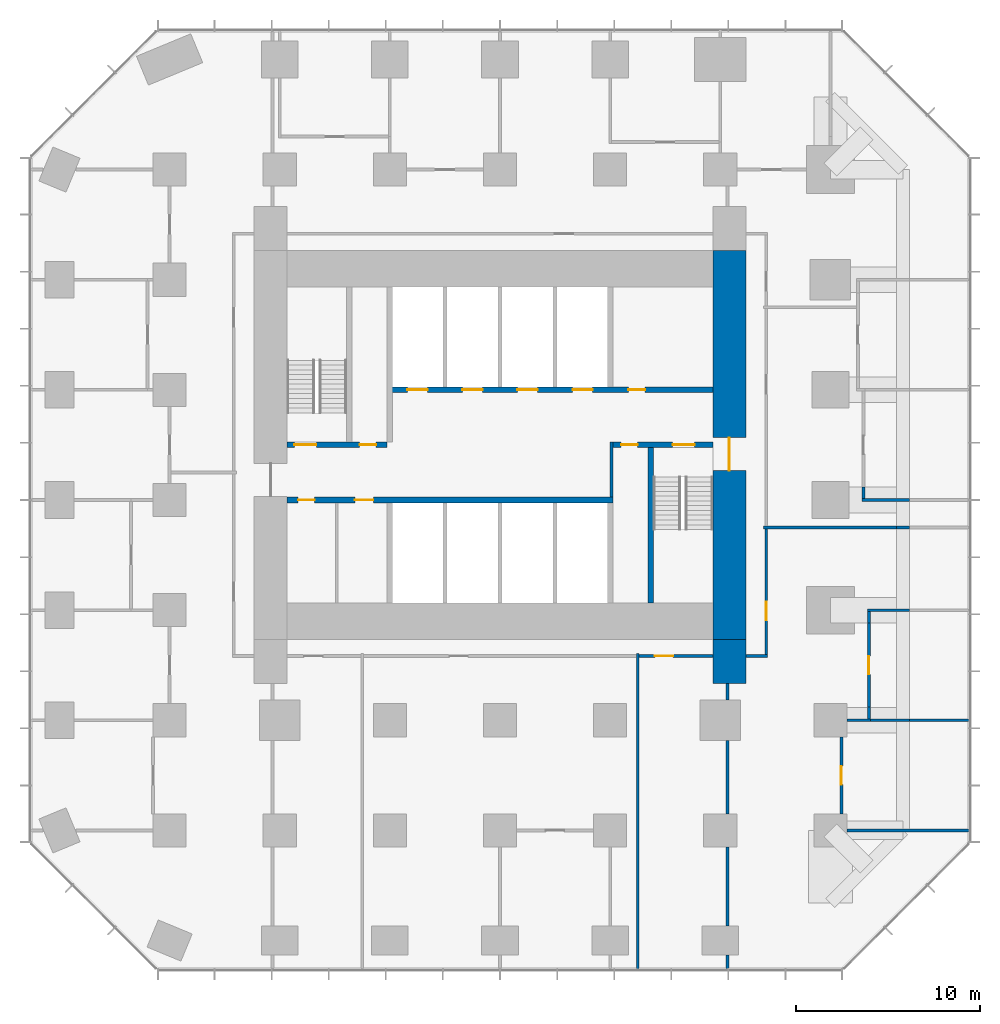
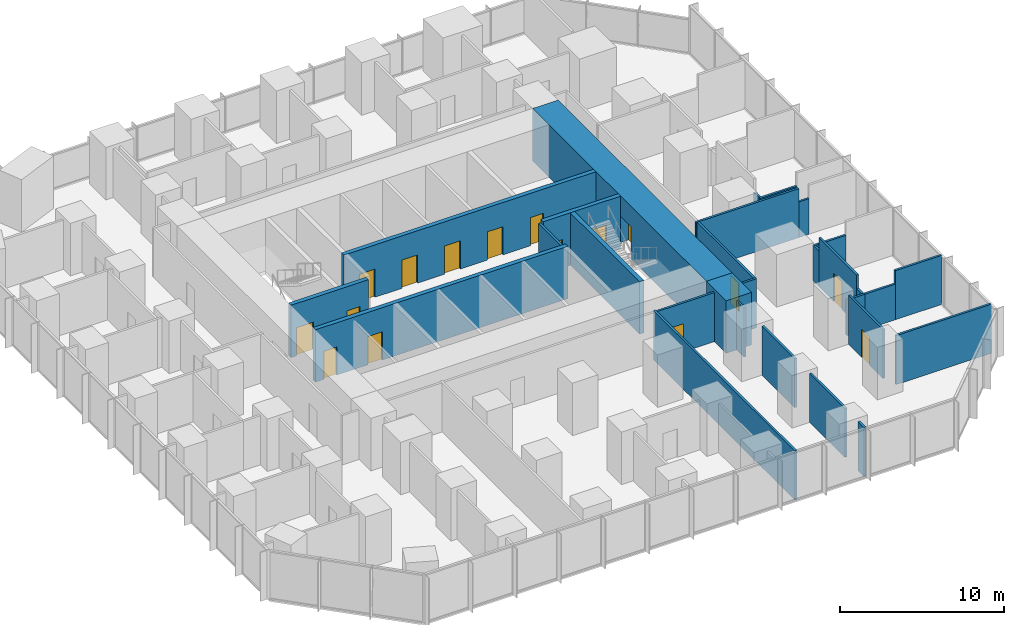
# One storey, part 10 of 13: 29 walls, 16 doors, 16 openings.
"""IFC4 building model written with IfcOpenShell, lengths in metres."""

import ifcopenshell
import ifcopenshell.guid

model = None  # the IFC model being written
_history = None  # IfcOwnerHistory: only IFC2X3 demands one
_inside = {}  # id of a spatial element -> (the spatial element, [elements in it])
_under = {}  # id of a project, library or spatial element -> (it, [spatial elements below it])
_declared = {}  # id of a project -> (the project, [libraries it declares])
_typed = {}  # id of a type object -> (the type object, [elements of that type])
_made_of = {}  # id of a material, layer set ... -> (it, [elements and type objects made of it])


def new_model(schema):
    """Start an empty IFC model of exactly this schema.

    Asked for "IFC4X3", IfcOpenShell would pick the latest addendum, in which some entities
    have other attributes; the version numbers below select the first issue.
    IFC2X3 requires an IfcOwnerHistory on every rooted entity: one is made here for all.
    """
    global model, _history
    if schema == "IFC4X3":
        model = ifcopenshell.file(schema_version=(4, 3, 0, 0))
    else:
        model = ifcopenshell.file(schema=schema)
    _inside.clear()
    _under.clear()
    _declared.clear()
    _typed.clear()
    _made_of.clear()
    _history = None
    if model.schema == "IFC2X3":
        org = make("IfcOrganization", Name="unknown")
        user = make(
            "IfcPersonAndOrganization",
            ThePerson=make("IfcPerson", FamilyName="unknown"),
            TheOrganization=org,
        )
        app = make(
            "IfcApplication",
            ApplicationDeveloper=org,
            Version="unknown",
            ApplicationFullName="unknown",
            ApplicationIdentifier="unknown",
        )
        _history = make(
            "IfcOwnerHistory",
            OwningUser=user,
            OwningApplication=app,
            ChangeAction="ADDED",
            CreationDate=0,
        )
    return model


def make(cls, **values):
    """One entity of the class cls with the attributes given. An attribute that is None is left unset."""
    return model.create_entity(
        cls, **{name: value for name, value in values.items() if value is not None}
    )


def rooted(cls, **values):
    """An entity with a GlobalId (a new one), such as an element, a storey or a relation."""
    return make(cls, GlobalId=ifcopenshell.guid.new(), OwnerHistory=_history, **values)


def si_unit(unit_type, name, prefix=None):
    """IfcSIUnit, for example si_unit("LENGTHUNIT", "METRE", prefix="MILLI")."""
    return make("IfcSIUnit", UnitType=unit_type, Prefix=prefix, Name=name)


def assignment(units):
    """IfcUnitAssignment: the units of a project."""
    return None if units is None else make("IfcUnitAssignment", Units=units)


def point(xyz):
    """IfcCartesianPoint."""
    return None if xyz is None else make("IfcCartesianPoint", Coordinates=xyz)


def direction(xyz):
    """IfcDirection."""
    return None if xyz is None else make("IfcDirection", DirectionRatios=xyz)


def frame(location, z_axis=None, x_axis=None):
    """IfcAxis2Placement3D, a coordinate frame: its origin and axes. An axis left out is left unset."""
    return make(
        "IfcAxis2Placement3D",
        Location=point(location),
        Axis=direction(z_axis),
        RefDirection=direction(x_axis),
    )


def frame_2d(location, x_axis=None):
    """IfcAxis2Placement2D, a coordinate frame in the plane: its origin and x axis."""
    return make(
        "IfcAxis2Placement2D", Location=point(location), RefDirection=direction(x_axis)
    )


def origin():
    """The frame at (0, 0, 0) with its axes left unset."""
    return frame((0.0, 0.0, 0.0))


def place(relative_to, where):
    """IfcLocalPlacement: puts the frame where relative to a parent placement (None: the world)."""
    return make(
        "IfcLocalPlacement", PlacementRelTo=relative_to, RelativePlacement=where
    )


def context(
    kind, dimensions, precision=None, world=None, true_north=None, identifier=None
):
    """IfcGeometricRepresentationContext, for example the 3D "Model" context."""
    return make(
        "IfcGeometricRepresentationContext",
        ContextIdentifier=identifier,
        ContextType=kind,
        CoordinateSpaceDimension=dimensions,
        Precision=precision,
        WorldCoordinateSystem=world,
        TrueNorth=true_north,
    )


def subcontext(parent, identifier, kind, view, scale=None):
    """IfcGeometricRepresentationSubContext, for example "Body" below "Model"."""
    return make(
        "IfcGeometricRepresentationSubContext",
        ContextIdentifier=identifier,
        ContextType=kind,
        ParentContext=parent,
        TargetScale=scale,
        TargetView=view,
    )


def project(units=None, contexts=None):
    """IfcProject with its units and contexts."""
    return rooted(
        "IfcProject",
        Name="project",
        RepresentationContexts=contexts,
        UnitsInContext=assignment(units),
    )


def spatial(cls, under=None, at=None, **own):
    """A site, building, storey or space (cls), placed at a placement, below another one or the project."""
    s = rooted(cls, ObjectPlacement=at, **own)
    if under is not None:
        _under.setdefault(under.id(), (under, []))[1].append(s)
    return s


def profile(cls, at=None, kind="AREA", **sizes):
    """A parametric profile (cls). Its sizes go by their IFC names, for example OverallWidth=200.0."""
    return make(cls, ProfileType=kind, Position=at, **sizes)


def rectangle(**sizes):
    """IfcRectangleProfileDef."""
    return profile("IfcRectangleProfileDef", **sizes)


def extrude(swept, where, along, depth):
    """IfcExtrudedAreaSolid: the profile swept, set in the frame where, extruded along a direction by depth."""
    return make(
        "IfcExtrudedAreaSolid",
        SweptArea=swept,
        Position=where,
        ExtrudedDirection=direction(along),
        Depth=depth,
    )


def shape(context_of_items, identifier, shape_type, items):
    """IfcShapeRepresentation: the items that make up one representation, for example the "Body"."""
    return make(
        "IfcShapeRepresentation",
        ContextOfItems=context_of_items,
        RepresentationIdentifier=identifier,
        RepresentationType=shape_type,
        Items=items,
    )


def material(Name=None, Category=None):
    """IfcMaterial."""
    return make("IfcMaterial", Name=Name, Category=Category)


def layer(
    of_material, thickness, ventilated=None, Name=None, Category=None, Priority=None
):
    """IfcMaterialLayer: one layer of a wall or slab, of a material (None: an air gap)."""
    return make(
        "IfcMaterialLayer",
        Material=of_material,
        LayerThickness=thickness,
        IsVentilated=ventilated,
        Name=Name,
        Category=Category,
        Priority=Priority,
    )


def layer_set(layers, Name=None):
    """IfcMaterialLayerSet."""
    return make("IfcMaterialLayerSet", MaterialLayers=layers, LayerSetName=Name)


def made_of(thing, what):
    """Note that an element or type object is made of a material, layer set ...; save() writes the relation."""
    if what is not None:
        _made_of.setdefault(what.id(), (what, []))[1].append(thing)
    return thing


def type_object(cls, material=None, **own):
    """A type object (cls), such as IfcWallType, which elements share."""
    return made_of(rooted(cls, **own), material)


def element(
    cls,
    number,
    at=None,
    inside=None,
    cuts=None,
    type_object=None,
    material=None,
    context=None,
    identifier="Body",
    shape_type=None,
    held_by="IfcProductDefinitionShape",
    body=None,
    shapes=None,
    **own,
):
    """One element of the class cls, such as IfcWall. Its Tag is "e" and its number.

    at: its placement. inside: the storey or other place that contains it. cuts: it is an
    opening in that element (IfcRelVoidsElement). A single representation is given by context,
    identifier, shape_type and body (its items); several are given by shapes. held_by: the class
    of the entity that holds the representations. save() writes the other relations.
    """
    e = rooted(cls, Tag="e%d" % number, ObjectPlacement=at, **own)
    if body is not None:
        shapes = [shape(context, identifier, shape_type, body)]
    if shapes is not None:
        e.Representation = make(held_by, Representations=shapes)
    if inside is not None:
        _inside.setdefault(inside.id(), (inside, []))[1].append(e)
    if cuts is not None:
        rooted(
            "IfcRelVoidsElement", RelatingBuildingElement=cuts, RelatedOpeningElement=e
        )
    if type_object is not None:
        _typed.setdefault(type_object.id(), (type_object, []))[1].append(e)
    return made_of(e, material)


def fill(opening, filler):
    """IfcRelFillsElement: the door or window that sits in an opening."""
    return rooted(
        "IfcRelFillsElement",
        RelatingOpeningElement=opening,
        RelatedBuildingElement=filler,
    )


def aggregate(whole, parts):
    """IfcRelAggregates: a whole, such as a stair, and the parts it consists of."""
    return rooted("IfcRelAggregates", RelatingObject=whole, RelatedObjects=parts)


def save(model, path):
    """Write the relations noted so far, then the file.

    IfcRelAggregates (storeys below a building ...), IfcRelContainedInSpatialStructure (elements
    in a storey), IfcRelDefinesByType, IfcRelAssociatesMaterial and IfcRelDeclares: one each for
    every whole, place, type object, material and project.
    """
    for whole, parts in _under.values():
        aggregate(whole, parts)
    for where, things in _inside.values():
        rooted(
            "IfcRelContainedInSpatialStructure",
            RelatedElements=things,
            RelatingStructure=where,
        )
    for kind, things in _typed.values():
        rooted("IfcRelDefinesByType", RelatedObjects=things, RelatingType=kind)
    for what, things in _made_of.values():
        rooted("IfcRelAssociatesMaterial", RelatedObjects=things, RelatingMaterial=what)
    for by, libraries in _declared.values():
        rooted("IfcRelDeclares", RelatingContext=by, RelatedDefinitions=libraries)
    model.write(path)


model = new_model("IFC4")

# Units and contexts
model_context = context("Model", 3, precision=1e-05, world=origin(), true_north=direction((0.0, 1.0)))
body_context = subcontext(model_context, "Body", "Model", "MODEL_VIEW")
ifc_project = project(units=[si_unit("LENGTHUNIT", "METRE"), si_unit("AREAUNIT", "SQUARE_METRE"), si_unit("VOLUMEUNIT", "CUBIC_METRE"), si_unit("PLANEANGLEUNIT", "RADIAN"), si_unit("MASSUNIT", "GRAM", prefix="KILO")], contexts=[model_context])

# Site, building, storey
site_placement = place(None, origin())
site = spatial("IfcSite", under=ifc_project, at=site_placement, CompositionType="ELEMENT")
building_placement = place(site_placement, origin())
building = spatial("IfcBuilding", under=site, at=building_placement, Name="Highveld Stack Headquarters", CompositionType="ELEMENT")
storey_placement = place(building_placement, frame((0.0, 0.0, 61.10009765625)))
storey = spatial("IfcBuildingStorey", under=building, at=storey_placement, Name="L14", CompositionType="ELEMENT", Elevation=61.10009765625)

# Wall, opening, door
ifc_material_1 = material(Name="Concrete C60/75", Category="concrete")
ifc_layer_1 = layer(ifc_material_1, 1.800048828125)
ifc_layer_set_1 = layer_set([ifc_layer_1], Name="Concrete C60/75")
wall_type_1 = type_object("IfcWallType", Name="CORE WALL 1800 C60/75", PredefinedType="SHEAR", material=ifc_layer_set_1)
wall_1_placement = place(storey_placement, frame((18.5, -7.60009765625, 0.0), z_axis=(0.0, 0.0, 1.0), x_axis=(0.0, 1.0, 0.0)))
wall_1 = element("IfcWall", 1, at=wall_1_placement, inside=storey, type_object=wall_type_1, Name="Core wall E L14", PredefinedType="SHEAR", context=body_context, shape_type="SweptSolid", body=[
    extrude(rectangle(XDim=21.2001953125, YDim=1.800048828125, at=frame_2d((10.60009765625, 0.0))), origin(), (0.0, 0.0, 1.0), 3.89990234375),
])
opening_1_placement = place(wall_1_placement, frame((9.199951171875, 0.0, 0.0)))
opening_1 = element("IfcOpeningElement", 2, at=opening_1_placement, cuts=wall_1, Name="Opening L14-02", PredefinedType="OPENING", context=body_context, shape_type="SweptSolid", body=[
    extrude(rectangle(XDim=1.800048828125, YDim=2.39990234375, at=frame_2d((0.89990234375, 1.199951171875))), frame((0.0, 0.909912109375, 0.0), z_axis=(0.0, -1.0, 0.0), x_axis=(1.0, 0.0, 0.0)), (0.0, 0.0, 1.0), 1.820068359375),
])
ifc_material_2 = material(Name="Steel fire door", Category="steel")
door_type_1 = type_object("IfcDoorType", Name="LOBBY FIRE DOOR D4 1800x2400", OperationType="DOUBLE_DOOR_SINGLE_SWING", PredefinedType="DOOR", material=ifc_material_2)
door_1_placement = place(opening_1_placement, origin())
door_1 = element("IfcDoor", 3, at=door_1_placement, inside=storey, type_object=door_type_1, Name="Core east door L14", OperationType="DOUBLE_DOOR_SINGLE_SWING", OverallHeight=2.39990234375, OverallWidth=1.800048828125, PredefinedType="DOOR", context=body_context, shape_type="SweptSolid", body=[
    extrude(rectangle(XDim=1.800048828125, YDim=2.39990234375, at=frame_2d((0.89990234375, 1.199951171875))), frame((0.0, 0.02490234375, 0.0), z_axis=(0.0, -1.0, 0.0), x_axis=(1.0, 0.0, 0.0)), (0.0, 0.0, 1.0), 0.050048828125),
])
fill(opening_1, door_1)

# Wall, openings, doors
ifc_material_3 = material(Name="Concrete C60/75", Category="concrete")
ifc_layer_2 = layer(ifc_material_3, 0.300048828125)
ifc_layer_set_2 = layer_set([ifc_layer_2], Name="Concrete C60/75")
wall_type_2 = type_object("IfcWallType", Name="CORE WALL 300 C60/75", PredefinedType="SHEAR", material=ifc_layer_set_2)
wall_2_placement = place(storey_placement, frame((-5.60009765625, 0.0, 0.0), z_axis=(0.0, 0.0, 1.0), x_axis=(1.0, 0.0, 0.0)))
wall_2 = element("IfcWall", 4, at=wall_2_placement, inside=storey, type_object=wall_type_2, Name="Core wall I-Y0 L14", PredefinedType="SHEAR", context=body_context, shape_type="SweptSolid", body=[
    extrude(rectangle(XDim=17.75, YDim=0.300048828125, at=frame_2d((8.875, 0.0))), origin(), (0.0, 0.0, 1.0), 3.89990234375),
])
opening_2_placement = place(wall_2_placement, frame((0.60009765625, 0.0, 0.0)))
opening_2 = element("IfcOpeningElement", 5, at=opening_2_placement, cuts=wall_2, Name="Opening L14-07", PredefinedType="OPENING", context=body_context, shape_type="SweptSolid", body=[
    extrude(rectangle(XDim=0.89990234375, YDim=2.10009765625, at=frame_2d((0.449951171875, 1.050048828125))), frame((0.0, 0.159912109375, 0.0), z_axis=(0.0, -1.0, 0.0), x_axis=(1.0, 0.0, 0.0)), (0.0, 0.0, 1.0), 0.320068359375),
])
opening_3_placement = place(wall_2_placement, frame((3.699951171875, 0.0, 0.0)))
opening_3 = element("IfcOpeningElement", 6, at=opening_3_placement, cuts=wall_2, Name="Opening L14-08", PredefinedType="OPENING", context=body_context, shape_type="SweptSolid", body=[
    extrude(rectangle(XDim=1.0, YDim=2.10009765625, at=frame_2d((0.5, 1.050048828125))), frame((0.0, 0.159912109375, 0.0), z_axis=(0.0, -1.0, 0.0), x_axis=(1.0, 0.0, 0.0)), (0.0, 0.0, 1.0), 0.320068359375),
])
ifc_material_4 = material(Name="Timber door, painted", Category="wood")
door_type_2 = type_object("IfcDoorType", Name="ACCESSIBLE WC DOOR D2 1000x2100", OperationType="SINGLE_SWING_RIGHT", PredefinedType="DOOR", material=ifc_material_4)
door_2_placement = place(opening_3_placement, origin())
door_2 = element("IfcDoor", 7, at=door_2_placement, inside=storey, type_object=door_type_2, Name="Accessible WC door L14", OperationType="SINGLE_SWING_LEFT", OverallHeight=2.10009765625, OverallWidth=1.0, PredefinedType="DOOR", context=body_context, shape_type="SweptSolid", body=[
    extrude(rectangle(XDim=1.0, YDim=2.10009765625, at=frame_2d((0.5, 1.050048828125))), frame((0.0, 0.02490234375, 0.0), z_axis=(0.0, -1.0, 0.0), x_axis=(1.0, 0.0, 0.0)), (0.0, 0.0, 1.0), 0.050048828125),
])
fill(opening_3, door_2)
ifc_material_5 = material(Name="Timber door, painted", Category="wood")
door_type_3 = type_object("IfcDoorType", Name="WC DOOR D1 900x2100", OperationType="SINGLE_SWING_LEFT", PredefinedType="DOOR", material=ifc_material_5)
door_3_placement = place(opening_2_placement, origin())
door_3 = element("IfcDoor", 8, at=door_3_placement, inside=storey, type_object=door_type_3, Name="Female WC door L14", OperationType="SINGLE_SWING_LEFT", OverallHeight=2.10009765625, OverallWidth=0.89990234375, PredefinedType="DOOR", context=body_context, shape_type="SweptSolid", body=[
    extrude(rectangle(XDim=0.89990234375, YDim=2.10009765625, at=frame_2d((0.449951171875, 1.050048828125))), frame((0.0, 0.02490234375, 0.0), z_axis=(0.0, -1.0, 0.0), x_axis=(1.0, 0.0, 0.0)), (0.0, 0.0, 1.0), 0.050048828125),
])
fill(opening_2, door_3)

wall_3_placement = place(storey_placement, frame((-5.60009765625, 3.0, 0.0), z_axis=(0.0, 0.0, 1.0), x_axis=(1.0, 0.0, 0.0)))
wall_3 = element("IfcWall", 9, at=wall_3_placement, inside=storey, type_object=wall_type_2, Name="Core wall I-Y3W L14", PredefinedType="SHEAR", context=body_context, shape_type="SweptSolid", body=[
    extrude(rectangle(XDim=5.4501953125, YDim=0.300048828125, at=frame_2d((2.72509765625, 0.0))), origin(), (0.0, 0.0, 1.0), 3.89990234375),
])
opening_4_placement = place(wall_3_placement, frame((0.39990234375, 0.0, 0.0)))
opening_4 = element("IfcOpeningElement", 10, at=opening_4_placement, cuts=wall_3, Name="Opening L14-03", PredefinedType="OPENING", context=body_context, shape_type="SweptSolid", body=[
    extrude(rectangle(XDim=1.199951171875, YDim=2.10009765625, at=frame_2d((0.60009765625, 1.050048828125))), frame((0.0, 0.159912109375, 0.0), z_axis=(0.0, -1.0, 0.0), x_axis=(1.0, 0.0, 0.0)), (0.0, 0.0, 1.0), 0.320068359375),
])
opening_5_placement = place(wall_3_placement, frame((3.949951171875, 0.0, 0.0)))
opening_5 = element("IfcOpeningElement", 11, at=opening_5_placement, cuts=wall_3, Name="Opening L14-04", PredefinedType="OPENING", context=body_context, shape_type="SweptSolid", body=[
    extrude(rectangle(XDim=0.89990234375, YDim=2.10009765625, at=frame_2d((0.449951171875, 1.050048828125))), frame((0.0, 0.159912109375, 0.0), z_axis=(0.0, -1.0, 0.0), x_axis=(1.0, 0.0, 0.0)), (0.0, 0.0, 1.0), 0.320068359375),
])
ifc_material_6 = material(Name="Steel fire door", Category="steel")
door_type_4 = type_object("IfcDoorType", Name="RISER ACCESS DOOR D5 900x2100", OperationType="SINGLE_SWING_LEFT", PredefinedType="DOOR", material=ifc_material_6)
door_4_placement = place(opening_5_placement, origin())
door_4 = element("IfcDoor", 12, at=door_4_placement, inside=storey, type_object=door_type_4, Name="Riser R1 door L14", OperationType="SINGLE_SWING_RIGHT", OverallHeight=2.10009765625, OverallWidth=0.89990234375, PredefinedType="DOOR", context=body_context, shape_type="SweptSolid", body=[
    extrude(rectangle(XDim=0.89990234375, YDim=2.10009765625, at=frame_2d((0.449951171875, 1.050048828125))), frame((0.0, 0.02490234375, 0.0), z_axis=(0.0, -1.0, 0.0), x_axis=(1.0, 0.0, 0.0)), (0.0, 0.0, 1.0), 0.050048828125),
])
fill(opening_5, door_4)
ifc_material_7 = material(Name="Steel fire door", Category="steel")
door_type_5 = type_object("IfcDoorType", Name="STAIR FIRE DOOR D3 1200x2100", OperationType="SINGLE_SWING_LEFT", PredefinedType="DOOR", material=ifc_material_7)
door_5_placement = place(opening_4_placement, origin())
door_5 = element("IfcDoor", 13, at=door_5_placement, inside=storey, type_object=door_type_5, Name="Stair S1 door L14", OperationType="SINGLE_SWING_LEFT", OverallHeight=2.10009765625, OverallWidth=1.199951171875, PredefinedType="DOOR", context=body_context, shape_type="SweptSolid", body=[
    extrude(rectangle(XDim=1.199951171875, YDim=2.10009765625, at=frame_2d((0.60009765625, 1.050048828125))), frame((0.0, 0.02490234375, 0.0), z_axis=(0.0, -1.0, 0.0), x_axis=(1.0, 0.0, 0.0)), (0.0, 0.0, 1.0), 0.050048828125),
])
fill(opening_4, door_5)

wall_4_placement = place(storey_placement, frame((12.14990234375, 3.0, 0.0), z_axis=(0.0, 0.0, 1.0), x_axis=(1.0, 0.0, 0.0)))
wall_4 = element("IfcWall", 14, at=wall_4_placement, inside=storey, type_object=wall_type_2, Name="Core wall I-Y3E L14", PredefinedType="SHEAR", context=body_context, shape_type="SweptSolid", body=[
    extrude(rectangle(XDim=5.4501953125, YDim=0.300048828125, at=frame_2d((2.72509765625, 0.0))), origin(), (0.0, 0.0, 1.0), 3.89990234375),
])
opening_6_placement = place(wall_4_placement, frame((3.25, 0.0, 0.0)))
opening_6 = element("IfcOpeningElement", 15, at=opening_6_placement, cuts=wall_4, Name="Opening L14-05", PredefinedType="OPENING", context=body_context, shape_type="SweptSolid", body=[
    extrude(rectangle(XDim=1.199951171875, YDim=2.10009765625, at=frame_2d((0.60009765625, 1.050048828125))), frame((0.0, 0.159912109375, 0.0), z_axis=(0.0, -1.0, 0.0), x_axis=(1.0, 0.0, 0.0)), (0.0, 0.0, 1.0), 0.320068359375),
])
opening_7_placement = place(wall_4_placement, frame((0.449951171875, 0.0, 0.0)))
opening_7 = element("IfcOpeningElement", 16, at=opening_7_placement, cuts=wall_4, Name="Opening L14-06", PredefinedType="OPENING", context=body_context, shape_type="SweptSolid", body=[
    extrude(rectangle(XDim=0.89990234375, YDim=2.10009765625, at=frame_2d((0.449951171875, 1.050048828125))), frame((0.0, 0.159912109375, 0.0), z_axis=(0.0, -1.0, 0.0), x_axis=(1.0, 0.0, 0.0)), (0.0, 0.0, 1.0), 0.320068359375),
])
door_6_placement = place(opening_7_placement, origin())
door_6 = element("IfcDoor", 17, at=door_6_placement, inside=storey, type_object=door_type_4, Name="Riser R2 door L14", OperationType="SINGLE_SWING_LEFT", OverallHeight=2.10009765625, OverallWidth=0.89990234375, PredefinedType="DOOR", context=body_context, shape_type="SweptSolid", body=[
    extrude(rectangle(XDim=0.89990234375, YDim=2.10009765625, at=frame_2d((0.449951171875, 1.050048828125))), frame((0.0, 0.02490234375, 0.0), z_axis=(0.0, -1.0, 0.0), x_axis=(1.0, 0.0, 0.0)), (0.0, 0.0, 1.0), 0.050048828125),
])
fill(opening_7, door_6)
door_7_placement = place(opening_6_placement, origin())
door_7 = element("IfcDoor", 18, at=door_7_placement, inside=storey, type_object=door_type_5, Name="Stair S2 door L14", OperationType="SINGLE_SWING_RIGHT", OverallHeight=2.10009765625, OverallWidth=1.199951171875, PredefinedType="DOOR", context=body_context, shape_type="SweptSolid", body=[
    extrude(rectangle(XDim=1.199951171875, YDim=2.10009765625, at=frame_2d((0.60009765625, 1.050048828125))), frame((0.0, 0.02490234375, 0.0), z_axis=(0.0, -1.0, 0.0), x_axis=(1.0, 0.0, 0.0)), (0.0, 0.0, 1.0), 0.050048828125),
])
fill(opening_6, door_7)

wall_5_placement = place(storey_placement, frame((-0.14990234375, 6.0, 0.0), z_axis=(0.0, 0.0, 1.0), x_axis=(1.0, 0.0, 0.0)))
wall_5 = element("IfcWall", 19, at=wall_5_placement, inside=storey, type_object=wall_type_2, Name="Core wall I-Y6 L14", PredefinedType="SHEAR", context=body_context, shape_type="SweptSolid", body=[
    extrude(rectangle(XDim=17.75, YDim=0.300048828125, at=frame_2d((8.875, 0.0))), origin(), (0.0, 0.0, 1.0), 3.89990234375),
])
opening_8_placement = place(wall_5_placement, frame((13.14990234375, 0.0, 0.0)))
opening_8 = element("IfcOpeningElement", 20, at=opening_8_placement, cuts=wall_5, Name="Opening L14-09", PredefinedType="OPENING", context=body_context, shape_type="SweptSolid", body=[
    extrude(rectangle(XDim=0.89990234375, YDim=2.10009765625, at=frame_2d((0.449951171875, 1.050048828125))), frame((0.0, 0.159912109375, 0.0), z_axis=(0.0, -1.0, 0.0), x_axis=(1.0, 0.0, 0.0)), (0.0, 0.0, 1.0), 0.320068359375),
])
opening_9_placement = place(wall_5_placement, frame((1.10009765625, 0.0, 0.0)))
opening_9 = element("IfcOpeningElement", 21, at=opening_9_placement, cuts=wall_5, Name="Opening LD", PredefinedType="OPENING", context=body_context, shape_type="SweptSolid", body=[
    extrude(rectangle(XDim=1.10009765625, YDim=2.10009765625, at=frame_2d((0.550048828125, 1.050048828125))), frame((0.0, 0.159912109375, 0.0), z_axis=(0.0, -1.0, 0.0), x_axis=(1.0, 0.0, 0.0)), (0.0, 0.0, 1.0), 0.320068359375),
])
opening_10_placement = place(wall_5_placement, frame((4.10009765625, 0.0, 0.0)))
opening_10 = element("IfcOpeningElement", 22, at=opening_10_placement, cuts=wall_5, Name="Opening LD", PredefinedType="OPENING", context=body_context, shape_type="SweptSolid", body=[
    extrude(rectangle(XDim=1.10009765625, YDim=2.10009765625, at=frame_2d((0.550048828125, 1.050048828125))), frame((0.0, 0.159912109375, 0.0), z_axis=(0.0, -1.0, 0.0), x_axis=(1.0, 0.0, 0.0)), (0.0, 0.0, 1.0), 0.320068359375),
])
opening_11_placement = place(wall_5_placement, frame((7.10009765625, 0.0, 0.0)))
opening_11 = element("IfcOpeningElement", 23, at=opening_11_placement, cuts=wall_5, Name="Opening LD", PredefinedType="OPENING", context=body_context, shape_type="SweptSolid", body=[
    extrude(rectangle(XDim=1.10009765625, YDim=2.10009765625, at=frame_2d((0.550048828125, 1.050048828125))), frame((0.0, 0.159912109375, 0.0), z_axis=(0.0, -1.0, 0.0), x_axis=(1.0, 0.0, 0.0)), (0.0, 0.0, 1.0), 0.320068359375),
])
opening_12_placement = place(wall_5_placement, frame((10.10009765625, 0.0, 0.0)))
opening_12 = element("IfcOpeningElement", 24, at=opening_12_placement, cuts=wall_5, Name="Opening LD", PredefinedType="OPENING", context=body_context, shape_type="SweptSolid", body=[
    extrude(rectangle(XDim=1.10009765625, YDim=2.10009765625, at=frame_2d((0.550048828125, 1.050048828125))), frame((0.0, 0.159912109375, 0.0), z_axis=(0.0, -1.0, 0.0), x_axis=(1.0, 0.0, 0.0)), (0.0, 0.0, 1.0), 0.320068359375),
])
ifc_material_8 = material(Name="Stainless steel lift landing door", Category="steel")
door_type_6 = type_object("IfcDoorType", Name="LIFT LANDING DOOR LD 1100x2100", OperationType="DOUBLE_DOOR_SLIDING", PredefinedType="USERDEFINED", material=ifc_material_8)
door_8_placement = place(opening_9_placement, origin())
door_8 = element("IfcDoor", 25, at=door_8_placement, inside=storey, type_object=door_type_6, Name="Lift landing door FF1 L14", ObjectType="LIFT LANDING DOOR", OperationType="DOUBLE_DOOR_SLIDING", OverallHeight=2.10009765625, OverallWidth=1.10009765625, PredefinedType="USERDEFINED", context=body_context, shape_type="SweptSolid", body=[
    extrude(rectangle(XDim=1.10009765625, YDim=2.10009765625, at=frame_2d((0.550048828125, 1.050048828125))), frame((0.0, 0.02490234375, 0.0), z_axis=(0.0, -1.0, 0.0), x_axis=(1.0, 0.0, 0.0)), (0.0, 0.0, 1.0), 0.050048828125),
])
fill(opening_9, door_8)
door_9_placement = place(opening_10_placement, origin())
door_9 = element("IfcDoor", 26, at=door_9_placement, inside=storey, type_object=door_type_6, Name="Lift landing door FF2 L14", ObjectType="LIFT LANDING DOOR", OperationType="DOUBLE_DOOR_SLIDING", OverallHeight=2.10009765625, OverallWidth=1.10009765625, PredefinedType="USERDEFINED", context=body_context, shape_type="SweptSolid", body=[
    extrude(rectangle(XDim=1.10009765625, YDim=2.10009765625, at=frame_2d((0.550048828125, 1.050048828125))), frame((0.0, 0.02490234375, 0.0), z_axis=(0.0, -1.0, 0.0), x_axis=(1.0, 0.0, 0.0)), (0.0, 0.0, 1.0), 0.050048828125),
])
fill(opening_10, door_9)
door_10_placement = place(opening_11_placement, origin())
door_10 = element("IfcDoor", 27, at=door_10_placement, inside=storey, type_object=door_type_6, Name="Lift landing door A1 L14", ObjectType="LIFT LANDING DOOR", OperationType="DOUBLE_DOOR_SLIDING", OverallHeight=2.10009765625, OverallWidth=1.10009765625, PredefinedType="USERDEFINED", context=body_context, shape_type="SweptSolid", body=[
    extrude(rectangle(XDim=1.10009765625, YDim=2.10009765625, at=frame_2d((0.550048828125, 1.050048828125))), frame((0.0, 0.02490234375, 0.0), z_axis=(0.0, -1.0, 0.0), x_axis=(1.0, 0.0, 0.0)), (0.0, 0.0, 1.0), 0.050048828125),
])
fill(opening_11, door_10)
door_11_placement = place(opening_12_placement, origin())
door_11 = element("IfcDoor", 28, at=door_11_placement, inside=storey, type_object=door_type_6, Name="Lift landing door A2 L14", ObjectType="LIFT LANDING DOOR", OperationType="DOUBLE_DOOR_SLIDING", OverallHeight=2.10009765625, OverallWidth=1.10009765625, PredefinedType="USERDEFINED", context=body_context, shape_type="SweptSolid", body=[
    extrude(rectangle(XDim=1.10009765625, YDim=2.10009765625, at=frame_2d((0.550048828125, 1.050048828125))), frame((0.0, 0.02490234375, 0.0), z_axis=(0.0, -1.0, 0.0), x_axis=(1.0, 0.0, 0.0)), (0.0, 0.0, 1.0), 0.050048828125),
])
fill(opening_12, door_11)
door_12_placement = place(opening_8_placement, origin())
door_12 = element("IfcDoor", 29, at=door_12_placement, inside=storey, type_object=door_type_3, Name="Male WC door L14", OperationType="SINGLE_SWING_RIGHT", OverallHeight=2.10009765625, OverallWidth=0.89990234375, PredefinedType="DOOR", context=body_context, shape_type="SweptSolid", body=[
    extrude(rectangle(XDim=0.89990234375, YDim=2.10009765625, at=frame_2d((0.449951171875, 1.050048828125))), frame((0.0, 0.02490234375, 0.0), z_axis=(0.0, -1.0, 0.0), x_axis=(1.0, 0.0, 0.0)), (0.0, 0.0, 1.0), 0.050048828125),
])
fill(opening_8, door_12)

# Walls
wall_6_placement = place(storey_placement, frame((14.199951171875, -5.60009765625, 0.0), z_axis=(0.0, 0.0, 1.0), x_axis=(0.0, 1.0, 0.0)))
element("IfcWall", 30, at=wall_6_placement, inside=storey, type_object=wall_type_2, Name="Core wall I-RE L14", PredefinedType="SHEAR", context=body_context, shape_type="SweptSolid", body=[
    extrude(rectangle(XDim=8.4501953125, YDim=0.300048828125, at=frame_2d((4.22509765625, 0.0))), origin(), (0.0, 0.0, 1.0), 3.89990234375),
])
ifc_material_9 = material(Name="Concrete C60/75", Category="concrete")
ifc_layer_3 = layer(ifc_material_9, 1.800048828125)
ifc_layer_set_3 = layer_set([ifc_layer_3], Name="Concrete C60/75")
wall_type_3 = type_object("IfcWallType", Name="CORE WING WALL 1800 C60/75", PredefinedType="SHEAR", material=ifc_layer_set_3)
wall_7_placement = place(storey_placement, frame((18.5, -10.0, 0.0), z_axis=(0.0, 0.0, 1.0), x_axis=(0.0, 1.0, 0.0)))
element("IfcWall", 31, at=wall_7_placement, inside=storey, type_object=wall_type_3, Name="Core wing wall ES L14", PredefinedType="SHEAR", context=body_context, shape_type="SweptSolid", body=[
    extrude(rectangle(XDim=2.39990234375, YDim=1.800048828125, at=frame_2d((1.199951171875, 0.0))), origin(), (0.0, 0.0, 1.0), 3.89990234375),
])
ifc_material_10 = material(Name="Concrete blockwork, plastered", Category="masonry")
ifc_layer_4 = layer(ifc_material_10, 0.14990234375)
ifc_layer_set_4 = layer_set([ifc_layer_4], Name="Concrete blockwork, plastered")
wall_type_4 = type_object("IfcWallType", Name="FIRE PARTITION 150 BLOCKWORK", PredefinedType="PARTITIONING", material=ifc_layer_set_4)
wall_8_placement = place(storey_placement, frame((12.074951171875, 0.14990234375, 0.0), z_axis=(0.0, 0.0, 1.0), x_axis=(0.0, 1.0, 0.0)))
element("IfcWall", 32, at=wall_8_placement, inside=storey, type_object=wall_type_4, Name="Riser R2 enclosure L14", PredefinedType="PARTITIONING", context=body_context, shape_type="SweptSolid", body=[
    extrude(rectangle(XDim=3.0, YDim=0.14990234375, at=frame_2d((1.5, 0.0))), origin(), (0.0, 0.0, 1.0), 3.64990234375),
])

# Wall, opening, door
ifc_material_11 = material(Name="Laminated glass in aluminium frame", Category="aluminium")
ifc_layer_5 = layer(ifc_material_11, 0.14990234375)
ifc_layer_set_5 = layer_set([ifc_layer_5], Name="Laminated glass in aluminium frame")
wall_type_5 = type_object("IfcWallType", Name="GLAZED PARTITION 150", PredefinedType="PARTITIONING", material=ifc_layer_set_5)
wall_9_placement = place(storey_placement, frame((24.60009765625, -17.10009765625, 0.0), z_axis=(0.0, 0.0, 1.0), x_axis=(0.0, 1.0, 0.0)))
wall_9 = element("IfcWall", 33, at=wall_9_placement, inside=storey, type_object=wall_type_5, Name="Glazed partition Video conference room L14", PredefinedType="PARTITIONING", context=body_context, shape_type="SweptSolid", body=[
    extrude(rectangle(XDim=4.2001953125, YDim=0.14990234375, at=frame_2d((2.10009765625, 0.0))), origin(), (0.0, 0.0, 1.0), 3.64990234375),
])
opening_13_placement = place(wall_9_placement, frame((1.60009765625, 0.0, 0.0)))
opening_13 = element("IfcOpeningElement", 34, at=opening_13_placement, cuts=wall_9, Name="Opening L14-17", PredefinedType="OPENING", context=body_context, shape_type="SweptSolid", body=[
    extrude(rectangle(XDim=1.0, YDim=2.10009765625, at=frame_2d((0.5, 1.050048828125))), frame((0.0, 0.0849609375, 0.0), z_axis=(0.0, -1.0, 0.0), x_axis=(1.0, 0.0, 0.0)), (0.0, 0.0, 1.0), 0.169921875),
])
ifc_material_12 = material(Name="Timber door, oiled ash", Category="wood")
door_type_7 = type_object("IfcDoorType", Name="ROOM DOOR D6 1000x2100", OperationType="SINGLE_SWING_LEFT", PredefinedType="DOOR", material=ifc_material_12)
door_13_placement = place(opening_13_placement, origin())
door_13 = element("IfcDoor", 35, at=door_13_placement, inside=storey, type_object=door_type_7, Name="Video conference room door 1 L14", OperationType="SINGLE_SWING_RIGHT", OverallHeight=2.10009765625, OverallWidth=1.0, PredefinedType="DOOR", context=body_context, shape_type="SweptSolid", body=[
    extrude(rectangle(XDim=1.0, YDim=2.10009765625, at=frame_2d((0.5, 1.050048828125))), frame((0.0, 0.02490234375, 0.0), z_axis=(0.0, -1.0, 0.0), x_axis=(1.0, 0.0, 0.0)), (0.0, 0.0, 1.0), 0.050048828125),
])
fill(opening_13, door_13)

# Walls
ifc_material_13 = material(Name="Gypsum plasterboard on steel studs", Category="steel")
ifc_layer_6 = layer(ifc_material_13, 0.14990234375)
ifc_layer_set_6 = layer_set([ifc_layer_6], Name="Gypsum plasterboard on steel studs")
wall_type_6 = type_object("IfcWallType", Name="PARTITION 150 PLASTERBOARD", PredefinedType="PARTITIONING", material=ifc_layer_set_6)
wall_10_placement = place(storey_placement, frame((24.89990234375, -18.0, 0.0), z_axis=(0.0, 0.0, 1.0), x_axis=(1.0, 0.0, 0.0)))
element("IfcWall", 36, at=wall_10_placement, inside=storey, type_object=wall_type_6, Name="Partition Video conference room L14", PredefinedType="PARTITIONING", context=body_context, shape_type="SweptSolid", body=[
    extrude(rectangle(XDim=6.7001953125, YDim=0.14990234375, at=frame_2d((3.35009765625, 0.0))), origin(), (0.0, 0.0, 1.0), 3.64990234375),
])
wall_11_placement = place(storey_placement, frame((24.89990234375, -12.0, 0.0), z_axis=(0.0, 0.0, 1.0), x_axis=(1.0, 0.0, 0.0)))
element("IfcWall", 37, at=wall_11_placement, inside=storey, type_object=wall_type_6, Name="Partition Video conference room L14", PredefinedType="PARTITIONING", context=body_context, shape_type="SweptSolid", body=[
    extrude(rectangle(XDim=1.275146484375, YDim=0.14990234375, at=frame_2d((0.6376953125, 0.0))), origin(), (0.0, 0.0, 1.0), 2.64990234375),
])
wall_12_placement = place(storey_placement, frame((26.10009765625, -12.0, 0.0), z_axis=(0.0, 0.0, 1.0), x_axis=(1.0, 0.0, 0.0)))
element("IfcWall", 38, at=wall_12_placement, inside=storey, type_object=wall_type_6, Name="Partition Focus room / Video conference room L14", PredefinedType="PARTITIONING", context=body_context, shape_type="SweptSolid", body=[
    extrude(rectangle(XDim=2.2099609375, YDim=0.14990234375, at=frame_2d((1.10498046875, 0.0))), origin(), (0.0, 0.0, 1.0), 2.64990234375),
])
wall_13_placement = place(storey_placement, frame((28.31005859375, -12.0, 0.0), z_axis=(0.0, 0.0, 1.0), x_axis=(1.0, 0.0, 0.0)))
element("IfcWall", 39, at=wall_13_placement, inside=storey, type_object=wall_type_6, Name="Partition Focus room / Video conference room L14", PredefinedType="PARTITIONING", context=body_context, shape_type="SweptSolid", body=[
    extrude(rectangle(XDim=3.2900390625, YDim=0.14990234375, at=frame_2d((1.64501953125, 0.0))), origin(), (0.0, 0.0, 1.0), 3.64990234375),
])
wall_14_placement = place(storey_placement, frame((26.02490234375, -6.0, 0.0), z_axis=(0.0, 0.0, 1.0), x_axis=(1.0, 0.0, 0.0)))
element("IfcWall", 40, at=wall_14_placement, inside=storey, type_object=wall_type_6, Name="Partition Focus room L14", PredefinedType="PARTITIONING", context=body_context, shape_type="SweptSolid", body=[
    extrude(rectangle(XDim=2.28515625, YDim=0.14990234375, at=frame_2d((1.142578125, 0.0))), origin(), (0.0, 0.0, 1.0), 2.64990234375),
])
wall_15_placement = place(storey_placement, frame((25.72509765625, 0.0, 0.0), z_axis=(0.0, 0.0, 1.0), x_axis=(1.0, 0.0, 0.0)))
element("IfcWall", 41, at=wall_15_placement, inside=storey, type_object=wall_type_6, Name="Partition Print room L14", PredefinedType="PARTITIONING", context=body_context, shape_type="SweptSolid", body=[
    extrude(rectangle(XDim=2.5849609375, YDim=0.14990234375, at=frame_2d((1.29248046875, 0.0))), origin(), (0.0, 0.0, 1.0), 2.64990234375),
])
for number, where, z_axis, x_axis, name in (
    (42, (25.800048828125, 0.074951171875, 0.0), (0.0, 0.0, 1.0), (0.0, 1.0, 0.0), "Partition Print room L14"),
    (43, (26.10009765625, -11.925048828125, 0.0), (0.0, 0.0, 1.0), (0.0, 1.0, 0.0), "Partition Focus room L14"),
):
    element("IfcWall", number, at=place(storey_placement, frame(where, z_axis=z_axis, x_axis=x_axis)), inside=storey, type_object=wall_type_6, Name=name, PredefinedType="PARTITIONING", context=body_context, shape_type="SweptSolid", body=[
        extrude(rectangle(XDim=0.635009765625, YDim=0.14990234375, at=frame_2d((0.3173828125, 0.0))), origin(), (0.0, 0.0, 1.0), 2.64990234375),
    ])

# Wall, opening, door
wall_16_placement = place(storey_placement, frame((26.10009765625, -11.2900390625, 0.0), z_axis=(0.0, 0.0, 1.0), x_axis=(0.0, 1.0, 0.0)))
wall_16 = element("IfcWall", 44, at=wall_16_placement, inside=storey, type_object=wall_type_6, Name="Partition Focus room L14", PredefinedType="PARTITIONING", context=body_context, shape_type="SweptSolid", body=[
    extrude(rectangle(XDim=4.580078125, YDim=0.14990234375, at=frame_2d((2.2900390625, 0.0))), origin(), (0.0, 0.0, 1.0), 3.64990234375),
])
opening_14_placement = place(wall_16_placement, frame((1.7900390625, 0.0, 0.0)))
opening_14 = element("IfcOpeningElement", 45, at=opening_14_placement, cuts=wall_16, Name="Opening L14-18", PredefinedType="OPENING", context=body_context, shape_type="SweptSolid", body=[
    extrude(rectangle(XDim=1.0, YDim=2.10009765625, at=frame_2d((0.5, 1.050048828125))), frame((0.0, 0.0849609375, 0.0), z_axis=(0.0, -1.0, 0.0), x_axis=(1.0, 0.0, 0.0)), (0.0, 0.0, 1.0), 0.169921875),
])
door_14_placement = place(opening_14_placement, origin())
door_14 = element("IfcDoor", 46, at=door_14_placement, inside=storey, type_object=door_type_7, Name="Focus room door 1 L14", OperationType="SINGLE_SWING_LEFT", OverallHeight=2.10009765625, OverallWidth=1.0, PredefinedType="DOOR", context=body_context, shape_type="SweptSolid", body=[
    extrude(rectangle(XDim=1.0, YDim=2.10009765625, at=frame_2d((0.5, 1.050048828125))), frame((0.0, 0.02490234375, 0.0), z_axis=(0.0, -1.0, 0.0), x_axis=(1.0, 0.0, 0.0)), (0.0, 0.0, 1.0), 0.050048828125),
])
fill(opening_14, door_14)

# Walls
wall_17_placement = place(storey_placement, frame((26.10009765625, -6.7099609375, 0.0), z_axis=(0.0, 0.0, 1.0), x_axis=(0.0, 1.0, 0.0)))
element("IfcWall", 47, at=wall_17_placement, inside=storey, type_object=wall_type_6, Name="Partition Focus room L14", PredefinedType="PARTITIONING", context=body_context, shape_type="SweptSolid", body=[
    extrude(rectangle(XDim=0.635009765625, YDim=0.14990234375, at=frame_2d((0.3173828125, 0.0))), origin(), (0.0, 0.0, 1.0), 2.64990234375),
])
wall_18_placement = place(storey_placement, frame((13.5, -25.60009765625, 0.0), z_axis=(0.0, 0.0, 1.0), x_axis=(0.0, 1.0, 0.0)))
element("IfcWall", 48, at=wall_18_placement, inside=storey, type_object=wall_type_6, Name="Partition office neighbourhood L14", PredefinedType="PARTITIONING", context=body_context, shape_type="SweptSolid", body=[
    extrude(rectangle(XDim=17.25, YDim=0.14990234375, at=frame_2d((8.625, 0.0))), origin(), (0.0, 0.0, 1.0), 3.64990234375),
])

# Wall, opening, door
wall_19_placement = place(storey_placement, frame((17.60009765625, -8.5, 0.0), z_axis=(0.0, 0.0, 1.0), x_axis=(-1.0, 0.0, 0.0)))
wall_19 = element("IfcWall", 49, at=wall_19_placement, inside=storey, type_object=wall_type_6, Name="Partition office neighbourhood L14", PredefinedType="PARTITIONING", context=body_context, shape_type="SweptSolid", body=[
    extrude(rectangle(XDim=4.025146484375, YDim=0.14990234375, at=frame_2d((2.0126953125, 0.0))), origin(), (0.0, 0.0, 1.0), 3.64990234375),
])
opening_15_placement = place(wall_19_placement, frame((2.1650390625, 0.0, 0.0)))
opening_15 = element("IfcOpeningElement", 50, at=opening_15_placement, cuts=wall_19, Name="Opening L14-31", PredefinedType="OPENING", context=body_context, shape_type="SweptSolid", body=[
    extrude(rectangle(XDim=1.0, YDim=2.10009765625, at=frame_2d((0.5, 1.050048828125))), frame((0.0, 0.0849609375, 0.0), z_axis=(0.0, -1.0, 0.0), x_axis=(1.0, 0.0, 0.0)), (0.0, 0.0, 1.0), 0.169921875),
])
door_15_placement = place(opening_15_placement, origin())
door_15 = element("IfcDoor", 51, at=door_15_placement, inside=storey, type_object=door_type_7, Name="Office neighbourhood door L14", OperationType="SINGLE_SWING_RIGHT", OverallHeight=2.10009765625, OverallWidth=1.0, PredefinedType="DOOR", context=body_context, shape_type="SweptSolid", body=[
    extrude(rectangle(XDim=1.0, YDim=2.10009765625, at=frame_2d((0.5, 1.050048828125))), frame((0.0, 0.02490234375, 0.0), z_axis=(0.0, -1.0, 0.0), x_axis=(1.0, 0.0, 0.0)), (0.0, 0.0, 1.0), 0.050048828125),
])
fill(opening_15, door_15)

# Walls
wall_20_placement = place(storey_placement, frame((18.39990234375, -25.550048828125, 0.0), z_axis=(0.0, 0.0, 1.0), x_axis=(0.0, 1.0, 0.0)))
element("IfcWall", 52, at=wall_20_placement, inside=storey, type_object=wall_type_6, Name="Partition office neighbourhood L14", PredefinedType="PARTITIONING", context=body_context, shape_type="SweptSolid", body=[
    extrude(rectangle(XDim=0.75, YDim=0.14990234375, at=frame_2d((0.375, 0.0))), origin(), (0.0, 0.0, 1.0), 3.64990234375),
])
wall_21_placement = place(storey_placement, frame((18.39990234375, -23.199951171875, 0.0), z_axis=(0.0, 0.0, 1.0), x_axis=(0.0, 1.0, 0.0)))
element("IfcWall", 53, at=wall_21_placement, inside=storey, type_object=wall_type_6, Name="Partition office neighbourhood L14", PredefinedType="PARTITIONING", context=body_context, shape_type="SweptSolid", body=[
    extrude(rectangle(XDim=4.300048828125, YDim=0.14990234375, at=frame_2d((2.14990234375, 0.0))), origin(), (0.0, 0.0, 1.0), 3.64990234375),
])
wall_22_placement = place(storey_placement, frame((18.39990234375, -17.10009765625, 0.0), z_axis=(0.0, 0.0, 1.0), x_axis=(0.0, 1.0, 0.0)))
element("IfcWall", 54, at=wall_22_placement, inside=storey, type_object=wall_type_6, Name="Partition office neighbourhood L14", PredefinedType="PARTITIONING", context=body_context, shape_type="SweptSolid", body=[
    extrude(rectangle(XDim=4.0, YDim=0.14990234375, at=frame_2d((2.0, 0.0))), origin(), (0.0, 0.0, 1.0), 3.64990234375),
])
wall_23_placement = place(storey_placement, frame((18.39990234375, -10.89990234375, 0.0), z_axis=(0.0, 0.0, 1.0), x_axis=(0.0, 1.0, 0.0)))
element("IfcWall", 55, at=wall_23_placement, inside=storey, type_object=wall_type_6, Name="Partition office neighbourhood L14", PredefinedType="PARTITIONING", context=body_context, shape_type="SweptSolid", body=[
    extrude(rectangle(XDim=0.89990234375, YDim=0.14990234375, at=frame_2d((0.449951171875, 0.0))), origin(), (0.0, 0.0, 1.0), 3.64990234375),
])
wall_24_placement = place(storey_placement, frame((19.39990234375, -8.5, 0.0), z_axis=(0.0, 0.0, 1.0), x_axis=(1.0, 0.0, 0.0)))
element("IfcWall", 56, at=wall_24_placement, inside=storey, type_object=wall_type_6, Name="Partition office neighbourhood L14", PredefinedType="PARTITIONING", context=body_context, shape_type="SweptSolid", body=[
    extrude(rectangle(XDim=1.175048828125, YDim=0.14990234375, at=frame_2d((0.58740234375, 0.0))), origin(), (0.0, 0.0, 1.0), 3.64990234375),
])

# Wall, opening, door
wall_25_placement = place(storey_placement, frame((20.5, -8.425048828125, 0.0), z_axis=(0.0, 0.0, 1.0), x_axis=(0.0, 1.0, 0.0)))
wall_25 = element("IfcWall", 57, at=wall_25_placement, inside=storey, type_object=wall_type_6, Name="Partition office neighbourhood L14", PredefinedType="PARTITIONING", context=body_context, shape_type="SweptSolid", body=[
    extrude(rectangle(XDim=6.85009765625, YDim=0.14990234375, at=frame_2d((3.425048828125, 0.0))), origin(), (0.0, 0.0, 1.0), 3.64990234375),
])
opening_16_placement = place(wall_25_placement, frame((1.875, 0.0, 0.0)))
opening_16 = element("IfcOpeningElement", 58, at=opening_16_placement, cuts=wall_25, Name="Opening L14-26", PredefinedType="OPENING", context=body_context, shape_type="SweptSolid", body=[
    extrude(rectangle(XDim=1.0, YDim=2.10009765625, at=frame_2d((0.5, 1.050048828125))), frame((0.0, 0.0849609375, 0.0), z_axis=(0.0, -1.0, 0.0), x_axis=(1.0, 0.0, 0.0)), (0.0, 0.0, 1.0), 0.169921875),
])
door_16_placement = place(opening_16_placement, origin())
door_16 = element("IfcDoor", 59, at=door_16_placement, inside=storey, type_object=door_type_7, Name="Office neighbourhood door L14", OperationType="SINGLE_SWING_LEFT", OverallHeight=2.10009765625, OverallWidth=1.0, PredefinedType="DOOR", context=body_context, shape_type="SweptSolid", body=[
    extrude(rectangle(XDim=1.0, YDim=2.10009765625, at=frame_2d((0.5, 1.050048828125))), frame((0.0, 0.02490234375, 0.0), z_axis=(0.0, -1.0, 0.0), x_axis=(1.0, 0.0, 0.0)), (0.0, 0.0, 1.0), 0.050048828125),
])
fill(opening_16, door_16)

# Walls
wall_26_placement = place(storey_placement, frame((20.35009765625, -1.5, 0.0), z_axis=(0.0, 0.0, 1.0), x_axis=(1.0, 0.0, 0.0)))
element("IfcWall", 60, at=wall_26_placement, inside=storey, type_object=wall_type_6, Name="Partition office neighbourhood L14", PredefinedType="PARTITIONING", context=body_context, shape_type="SweptSolid", body=[
    extrude(rectangle(XDim=7.239990234375, YDim=0.14990234375, at=frame_2d((3.6201171875, 0.0))), origin(), (0.0, 0.0, 1.0), 3.64990234375),
])
wall_27_placement = place(storey_placement, frame((27.590087890625, -1.5, 0.0), z_axis=(0.0, 0.0, 1.0), x_axis=(1.0, 0.0, 0.0)))
element("IfcWall", 61, at=wall_27_placement, inside=storey, type_object=wall_type_6, Name="Partition office neighbourhood L14", PredefinedType="PARTITIONING", context=body_context, shape_type="SweptSolid", body=[
    extrude(rectangle(XDim=0.719970703125, YDim=0.14990234375, at=frame_2d((0.35986328125, 0.0))), origin(), (0.0, 0.0, 1.0), 2.64990234375),
])

save(model, "model.ifc")
